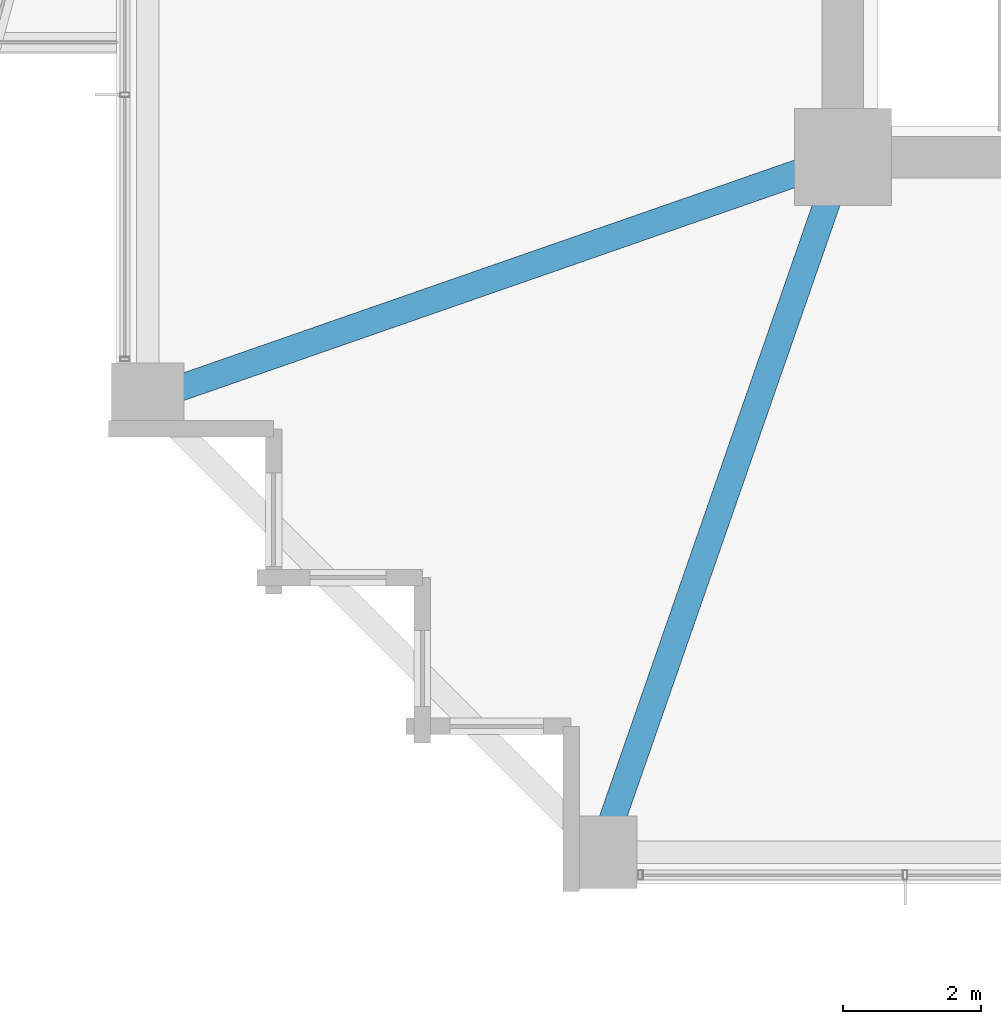
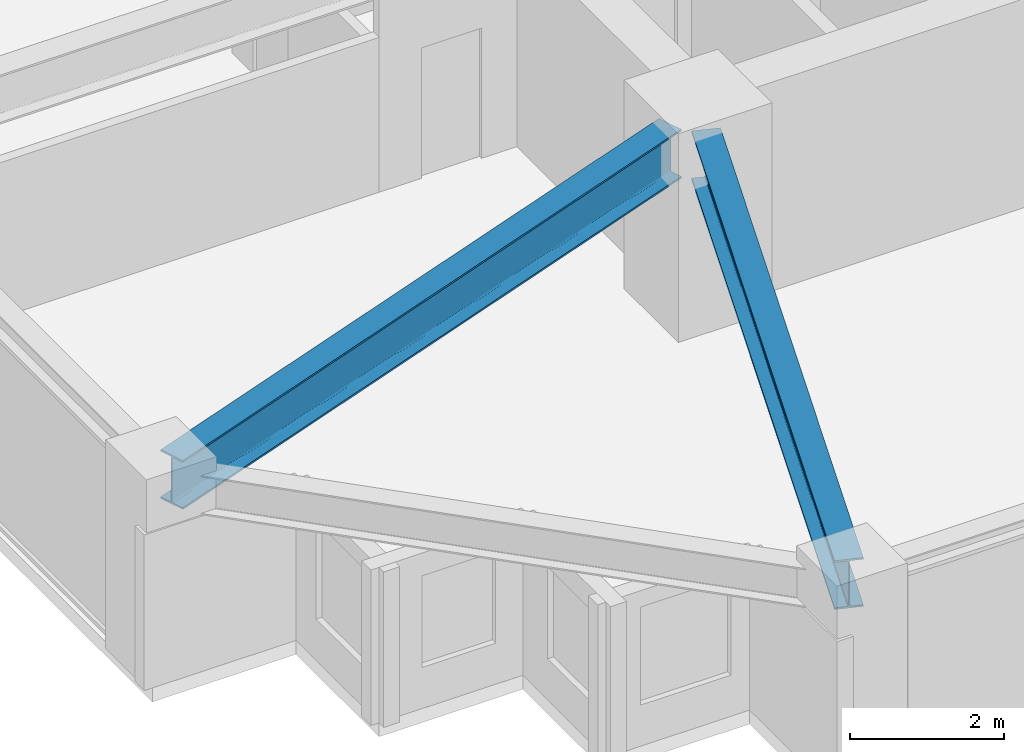
# One storey, part 4 of 38: 2 beams.
"""IFC4 building model written with IfcOpenShell, lengths in metres."""

from ifc_helpers import new_model, si_unit, direction, frame, origin, origin_2d, place, context, subcontext, project, spatial, i_section, extrude, material, material_profile, profile_set, type_object, element, save


model = new_model("IFC4")

# Units and contexts
model_context = context("Model", 3, precision=1e-05, world=origin(), true_north=direction((0.0, 1.0)))
body_context = subcontext(model_context, "Body", "Model", "MODEL_VIEW")
ifc_project = project(units=[si_unit("LENGTHUNIT", "METRE"), si_unit("AREAUNIT", "SQUARE_METRE"), si_unit("VOLUMEUNIT", "CUBIC_METRE"), si_unit("PLANEANGLEUNIT", "RADIAN"), si_unit("MASSUNIT", "GRAM", prefix="KILO")], contexts=[model_context])

# Site, building, storey
site_placement = place(None, origin())
site = spatial("IfcSite", under=ifc_project, at=site_placement, CompositionType="ELEMENT")
building_placement = place(site_placement, origin())
building = spatial("IfcBuilding", under=site, at=building_placement, Name="Kolvaren Belvedere", CompositionType="ELEMENT")
storey_placement = place(building_placement, frame((0.0, 0.0, 101.89990234375)))
storey = spatial("IfcBuildingStorey", under=building, at=storey_placement, Name="L29", CompositionType="ELEMENT", Elevation=101.89990234375)

# Beams
ifc_material = material(Name="Structural steel ASTM A992 Grade 50", Category="steel")
ifc_material_profile = material_profile(ifc_material, i_section(OverallWidth=0.381103515625, OverallDepth=0.77294921875, WebThickness=0.0166015625, FlangeThickness=0.027099609375, FilletRadius=0.02392578125, at=origin_2d()), Name="W30X173")
ifc_profile_set = profile_set([ifc_material_profile], Name="Structural steel ASTM A992 Grade 50")
beam_type = type_object("IfcBeamType", Name="BM-GIRD-W30X173", PredefinedType="BEAM", material=ifc_profile_set)
for number, where, z_axis, x_axis, name in (
    (1, (-10.080810546875, -10.41943359375, 2.693603515625), (-0.328880894453, -0.944371408538, 0.0), (0.944371408538, -0.328880894453, 0.0), "L29 Corner Core-to-Perimeter Girder CC1-S1"),
    (2, (-10.41943359375, -10.080810546875, 2.693603515625), (-0.944371408538, -0.328880894453, 0.0), (0.328880894453, -0.944371408538, 0.0), "L29 Corner Core-to-Perimeter Girder CC1-W1"),
):
    element("IfcBeam", number, at=place(storey_placement, frame(where, z_axis=z_axis, x_axis=x_axis)), inside=storey, type_object=beam_type, Name=name, PredefinedType="BEAM", context=body_context, shape_type="SweptSolid", body=[
        extrude(i_section(OverallWidth=0.381103515625, OverallDepth=0.77294921875, WebThickness=0.0166015625, FlangeThickness=0.027099609375, FilletRadius=0.02392578125, at=origin_2d()), origin(), (0.0, 0.0, 1.0), 9.882080078125),
    ])

save(model, "model.ifc")
